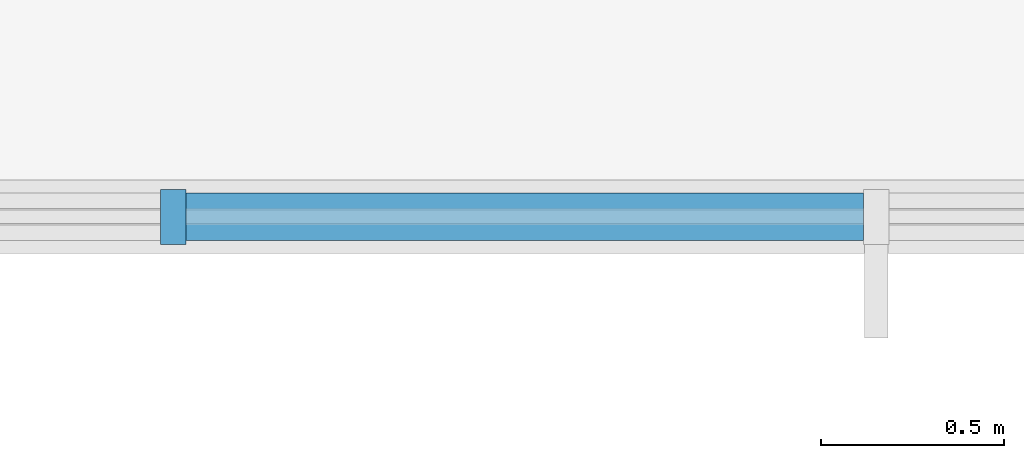
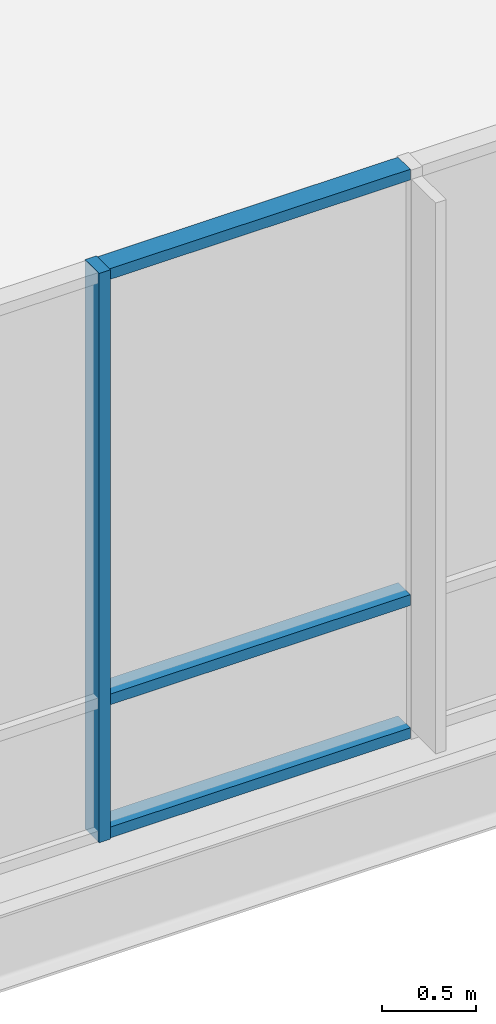
# One storey, part 27 of 75: 4 members, 1 element without a shape of its own.
"""IFC4 building model written with IfcOpenShell, lengths in metres."""

from ifc_helpers import new_model, si_unit, direction, frame, origin, origin_2d, place, context, subcontext, project, spatial, rectangle, extrude, material, layer, layer_set, type_object, element, aggregate, save


model = new_model("IFC4")

# Units and contexts
model_context = context("Model", 3, precision=1e-05, world=origin(), true_north=direction((0.0, 1.0)))
body_context = subcontext(model_context, "Body", "Model", "MODEL_VIEW")
ifc_project = project(units=[si_unit("LENGTHUNIT", "METRE"), si_unit("AREAUNIT", "SQUARE_METRE"), si_unit("VOLUMEUNIT", "CUBIC_METRE"), si_unit("PLANEANGLEUNIT", "RADIAN"), si_unit("MASSUNIT", "GRAM", prefix="KILO")], contexts=[model_context])

# Site, building, storey
site_placement = place(None, origin())
site = spatial("IfcSite", under=ifc_project, at=site_placement, CompositionType="ELEMENT")
building_placement = place(site_placement, origin())
building = spatial("IfcBuilding", under=site, at=building_placement, Name="Yukiwa Park Conservatory and Herbarium", CompositionType="ELEMENT")
storey_placement = place(building_placement, frame((0.0, 0.0, 4.800048828125)))
storey = spatial("IfcBuildingStorey", under=building, at=storey_placement, Name="L01", CompositionType="ELEMENT", Elevation=4.800048828125)

# Curtain wall, members
ifc_material_1 = material(Name="Triple Low-E Insulated Glass", Category="glass")
ifc_layer = layer(ifc_material_1, 0.18798828125)
ifc_layer_set = layer_set([ifc_layer], Name="Triple Low-E Insulated Glass")
curtain_wall_type = type_object("IfcCurtainWallType", Name="CW-CONCOURSE-2000", PredefinedType="NOTDEFINED", material=ifc_layer_set)
curtain_wall_placement = place(storey_placement, origin())
curtain_wall = element("IfcCurtainWall", 1, at=curtain_wall_placement, inside=storey, type_object=curtain_wall_type, Name="L01 unitised curtain wall CW-L01-040", PredefinedType="NOTDEFINED")
ifc_material_2 = material(Name="Anodised Aluminium", Category="aluminium")
member_type_1 = type_object("IfcMemberType", Name="MB-CW-MUL-70X150", PredefinedType="MULLION", material=ifc_material_2)
member_1_placement = place(storey_placement, frame((94.081298828125, 15.60009765625, 0.0), z_axis=(0.0, 0.0, 1.0), x_axis=(1.0, 0.0, 0.0)))
member_1 = element("IfcMember", 2, at=member_1_placement, type_object=member_type_1, Name="CW-L01-040 mullion 2", PredefinedType="MULLION", context=body_context, shape_type="SweptSolid", body=[
    extrude(rectangle(XDim=0.070068359375, YDim=0.14990234375, at=origin_2d()), origin(), (0.0, 0.0, 1.0), 3.699951171875),
])
ifc_material_3 = material(Name="Anodised Aluminium", Category="aluminium")
member_type_2 = type_object("IfcMemberType", Name="MB-CW-TRN-70X130", PredefinedType="USERDEFINED", material=ifc_material_3)
member_2_placement = place(storey_placement, frame((95.04052734375, 15.60009765625, 0.0), z_axis=(0.0, 0.0, 1.0), x_axis=(1.0, 0.0, 0.0)))
member_2 = element("IfcMember", 3, at=member_2_placement, type_object=member_type_2, Name="CW-L01-040 transom 2.1", ObjectType="TRANSOM", PredefinedType="USERDEFINED", context=body_context, shape_type="SweptSolid", body=[
    extrude(rectangle(XDim=1.848876953125, YDim=0.1298828125, at=origin_2d()), origin(), (0.0, 0.0, 1.0), 0.070068359375),
])
member_3_placement = place(storey_placement, frame((95.04052734375, 15.60009765625, 0.86474609375), z_axis=(0.0, 0.0, 1.0), x_axis=(1.0, 0.0, 0.0)))
member_3 = element("IfcMember", 4, at=member_3_placement, type_object=member_type_2, Name="CW-L01-040 transom 2.2", ObjectType="TRANSOM", PredefinedType="USERDEFINED", context=body_context, shape_type="SweptSolid", body=[
    extrude(rectangle(XDim=1.848876953125, YDim=0.1298828125, at=origin_2d()), origin(), (0.0, 0.0, 1.0), 0.070068359375),
])
member_4_placement = place(storey_placement, frame((95.04052734375, 15.60009765625, 3.6298828125), z_axis=(0.0, 0.0, 1.0), x_axis=(1.0, 0.0, 0.0)))
member_4 = element("IfcMember", 5, at=member_4_placement, type_object=member_type_2, Name="CW-L01-040 transom 2.3", ObjectType="TRANSOM", PredefinedType="USERDEFINED", context=body_context, shape_type="SweptSolid", body=[
    extrude(rectangle(XDim=1.848876953125, YDim=0.1298828125, at=origin_2d()), origin(), (0.0, 0.0, 1.0), 0.070068359375),
])
aggregate(curtain_wall, [member_1, member_2, member_3, member_4])

save(model, "model.ifc")
